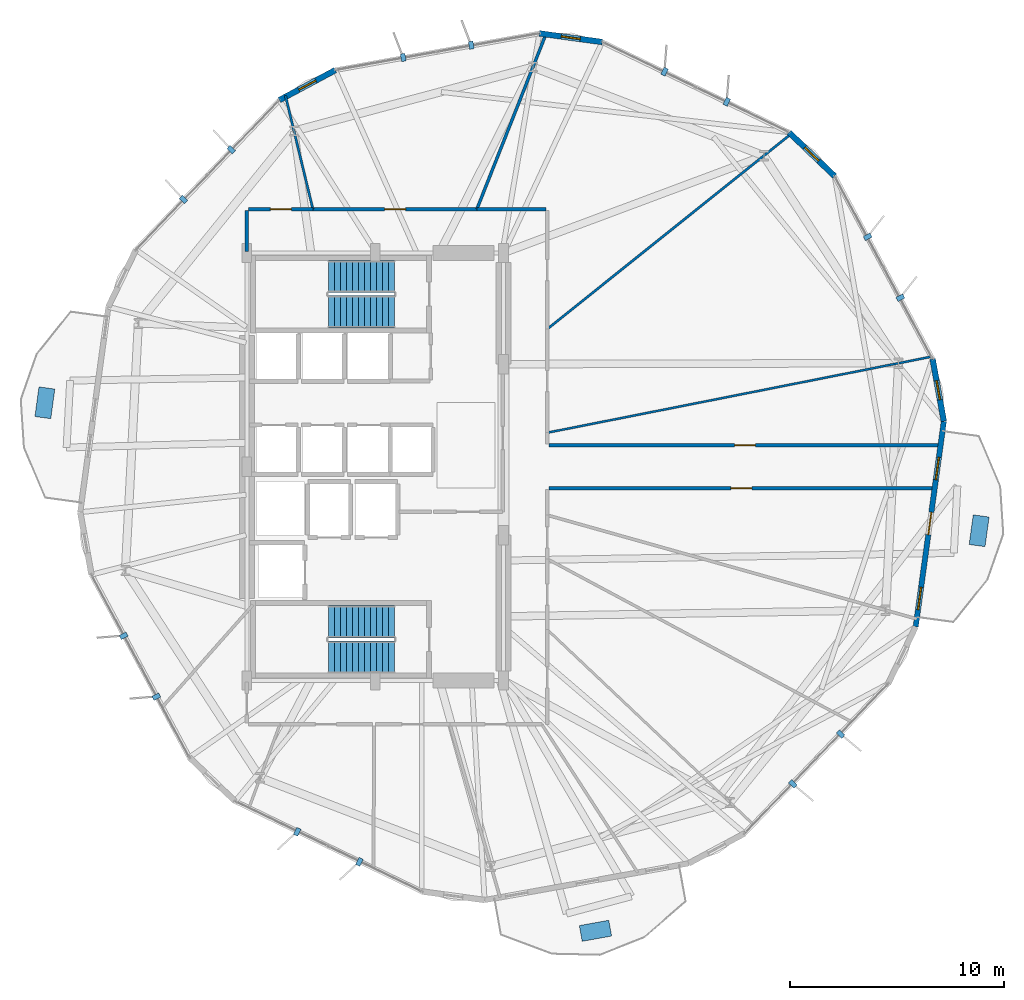
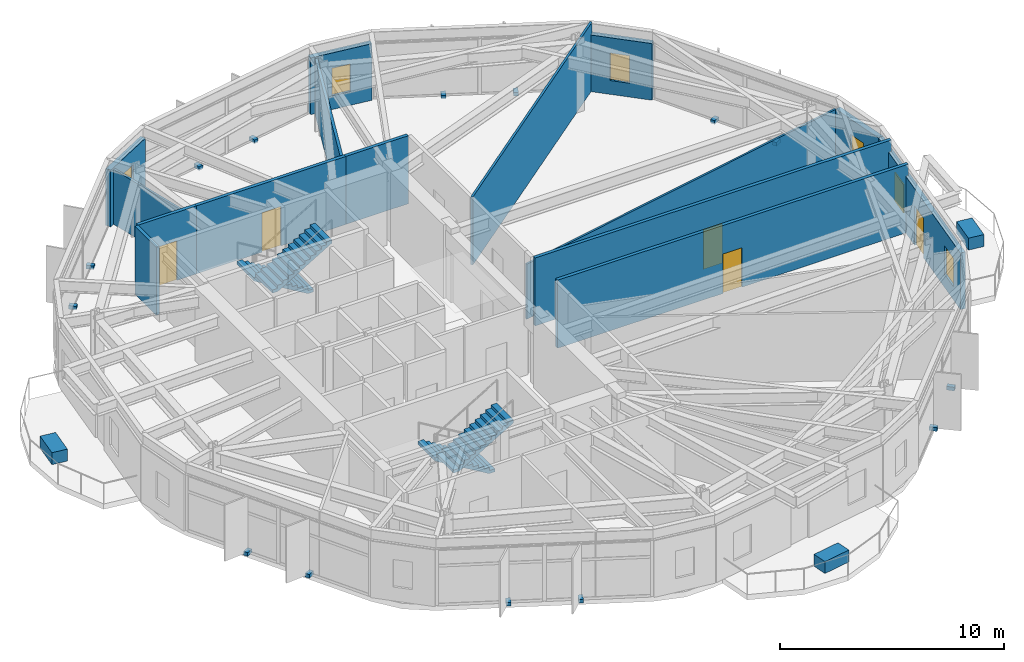
# One storey, part 19 of 22: 17 discrete accessories, 15 walls, 6 windows, 5 doors, 4 stair flights, 11 openings, 2 elements without a shape of their own.
"""IFC4 building model written with IfcOpenShell, lengths in metres."""

from ifc_helpers import new_model, si_unit, direction, frame, frame_2d, origin, origin_2d, place, context, subcontext, project, spatial, polyline, rectangle, outline, extrude, material, layer, layer_set, type_object, element, fill, aggregate, save


model = new_model("IFC4")

# Units and contexts
model_context = context("Model", 3, precision=1e-05, world=origin(), true_north=direction((0.0, 1.0)))
body_context = subcontext(model_context, "Body", "Model", "MODEL_VIEW")
ifc_project = project(units=[si_unit("LENGTHUNIT", "METRE"), si_unit("AREAUNIT", "SQUARE_METRE"), si_unit("VOLUMEUNIT", "CUBIC_METRE"), si_unit("PLANEANGLEUNIT", "RADIAN"), si_unit("MASSUNIT", "GRAM", prefix="KILO")], contexts=[model_context])

# Site, building, storey
site_placement = place(None, origin())
site = spatial("IfcSite", under=ifc_project, at=site_placement, CompositionType="ELEMENT")
building_placement = place(site_placement, origin())
building = spatial("IfcBuilding", under=site, at=building_placement, Name="Soratama Intermodal Tower", CompositionType="ELEMENT")
storey_placement = place(building_placement, frame((0.0, 0.0, 66.60009765625)))
storey = spatial("IfcBuildingStorey", under=building, at=storey_placement, Name="L15", CompositionType="ELEMENT", Elevation=66.60009765625)

# Wall, openings, door, windows
ifc_material_1 = material(Name="Concrete f'c 42 MPa", Category="concrete")
ifc_layer_1 = layer(ifc_material_1, 0.25)
ifc_layer_set_1 = layer_set([ifc_layer_1], Name="Concrete f'c 42 MPa")
wall_type_1 = type_object("IfcWallType", Name="EW-BAL-250", PredefinedType="SOLIDWALL", material=ifc_layer_set_1)
wall_1_placement = place(storey_placement, frame((63.883056640625, 17.51904296875, 0.0), z_axis=(0.0, 0.0, 1.0), x_axis=(0.13571645175, 0.99074772002, 0.0)))
wall_1 = element("IfcWall", 1, at=wall_1_placement, inside=storey, type_object=wall_type_1, Name="L15 Terrace Wall F10", PredefinedType="SOLIDWALL", context=body_context, shape_type="SweptSolid", body=[
    extrude(rectangle(XDim=9.697998046875, YDim=0.25, at=frame_2d((4.84912109375, 0.0))), origin(), (0.0, 0.0, 1.0), 3.078857421875),
])
opening_1_placement = place(wall_1_placement, frame((4.34912109375, 0.0, 0.0)))
opening_1 = element("IfcOpeningElement", 2, at=opening_1_placement, cuts=wall_1, Name="Opening ED-5", PredefinedType="OPENING", context=body_context, shape_type="SweptSolid", body=[
    extrude(rectangle(XDim=1.050048828125, YDim=2.14990234375, at=frame_2d((0.52490234375, 1.074951171875))), frame((0.0, 0.135009765625, 0.0), z_axis=(0.0, -1.0, 0.0), x_axis=(1.0, 0.0, 0.0)), (0.0, 0.0, 1.0), 0.27001953125),
])
opening_2_placement = place(wall_1_placement, frame((0.809814453125, 0.0, 0.719970703125)))
opening_2 = element("IfcOpeningElement", 3, at=opening_2_placement, cuts=wall_1, Name="Opening WN-5", PredefinedType="OPENING", context=body_context, shape_type="SweptSolid", body=[
    extrude(rectangle(XDim=1.050048828125, YDim=1.550048828125, at=frame_2d((0.52490234375, 0.77490234375))), frame((0.0, 0.135009765625, 0.0), z_axis=(0.0, -1.0, 0.0), x_axis=(1.0, 0.0, 0.0)), (0.0, 0.0, 1.0), 0.27001953125),
])
opening_3_placement = place(wall_1_placement, frame((6.942626953125, 0.0, 0.719970703125)))
opening_3 = element("IfcOpeningElement", 4, at=opening_3_placement, cuts=wall_1, Name="Opening WN-5", PredefinedType="OPENING", context=body_context, shape_type="SweptSolid", body=[
    extrude(rectangle(XDim=1.050048828125, YDim=1.550048828125, at=frame_2d((0.52490234375, 0.77490234375))), frame((0.0, 0.135009765625, 0.0), z_axis=(0.0, -1.0, 0.0), x_axis=(1.0, 0.0, 0.0)), (0.0, 0.0, 1.0), 0.27001953125),
])
ifc_material_2 = material(Name="Double-glazed aluminium door", Category="aluminium")
door_type_1 = type_object("IfcDoorType", Name="DR-BAL-1050", OperationType="NOTDEFINED", PredefinedType="DOOR", material=ifc_material_2)
door_1_placement = place(opening_1_placement, origin())
door_1 = element("IfcDoor", 5, at=door_1_placement, inside=storey, type_object=door_type_1, Name="L15 Balcony Door F10", OperationType="SINGLE_SWING_RIGHT", OverallHeight=2.14990234375, OverallWidth=1.050048828125, PredefinedType="DOOR", context=body_context, shape_type="SweptSolid", body=[
    extrude(rectangle(XDim=1.050048828125, YDim=2.14990234375, at=frame_2d((0.52490234375, 1.074951171875))), frame((0.0, 0.02490234375, 0.0), z_axis=(0.0, -1.0, 0.0), x_axis=(1.0, 0.0, 0.0)), (0.0, 0.0, 1.0), 0.050048828125),
])
fill(opening_1, door_1)
ifc_material_3 = material(Name="Double-glazed aluminium window", Category="aluminium")
window_type_1 = type_object("IfcWindowType", Name="WN-FAC-1050", PartitioningType="SINGLE_PANEL", PredefinedType="WINDOW", material=ifc_material_3)
window_1_placement = place(opening_2_placement, origin())
window_1 = element("IfcWindow", 6, at=window_1_placement, inside=storey, type_object=window_type_1, Name="L15 Window A F10", OverallHeight=1.550048828125, OverallWidth=1.050048828125, PartitioningType="SINGLE_PANEL", PredefinedType="WINDOW", context=body_context, shape_type="SweptSolid", body=[
    extrude(rectangle(XDim=1.050048828125, YDim=1.550048828125, at=frame_2d((0.52490234375, 0.77490234375))), frame((0.0, 0.030029296875, 0.0), z_axis=(0.0, -1.0, 0.0), x_axis=(1.0, 0.0, 0.0)), (0.0, 0.0, 1.0), 0.06005859375),
])
fill(opening_2, window_1)
window_2_placement = place(opening_3_placement, origin())
window_2 = element("IfcWindow", 7, at=window_2_placement, inside=storey, type_object=window_type_1, Name="L15 Window B F10", OverallHeight=1.550048828125, OverallWidth=1.050048828125, PartitioningType="SINGLE_PANEL", PredefinedType="WINDOW", context=body_context, shape_type="SweptSolid", body=[
    extrude(rectangle(XDim=1.050048828125, YDim=1.550048828125, at=frame_2d((0.52490234375, 0.77490234375))), frame((0.0, 0.030029296875, 0.0), z_axis=(0.0, -1.0, 0.0), x_axis=(1.0, 0.0, 0.0)), (0.0, 0.0, 1.0), 0.06005859375),
])
fill(opening_3, window_2)

# Wall, opening, window
ifc_material_4 = material(Name="Concrete f'c 42 MPa", Category="concrete")
ifc_layer_2 = layer(ifc_material_4, 0.27001953125)
ifc_layer_set_2 = layer_set([ifc_layer_2], Name="Concrete f'c 42 MPa")
wall_type_2 = type_object("IfcWallType", Name="EW-CRN-270", PredefinedType="SOLIDWALL", material=ifc_layer_set_2)
wall_2_placement = place(storey_placement, frame((60.091064453125, 38.593994140625, 0.0), z_axis=(0.0, 0.0, 1.0), x_axis=(-0.721765475307, 0.69213770209, 0.0)))
wall_2 = element("IfcWall", 8, at=wall_2_placement, inside=storey, type_object=wall_type_2, Name="L15 Corner Closure Wall 01", PredefinedType="SOLIDWALL", context=body_context, shape_type="SweptSolid", body=[
    extrude(rectangle(XDim=2.966552734375, YDim=0.27001953125, at=frame_2d((1.4833984375, 0.0))), origin(), (0.0, 0.0, 1.0), 3.078857421875),
])
opening_4_placement = place(wall_2_placement, frame((1.033203125, 0.0, 0.75)))
opening_4 = element("IfcOpeningElement", 9, at=opening_4_placement, cuts=wall_2, Name="Opening WN-6", PredefinedType="OPENING", context=body_context, shape_type="SweptSolid", body=[
    extrude(rectangle(XDim=0.89990234375, YDim=1.5, at=frame_2d((0.449951171875, 0.75))), frame((0.0, 0.14501953125, 0.0), z_axis=(0.0, -1.0, 0.0), x_axis=(1.0, 0.0, 0.0)), (0.0, 0.0, 1.0), 0.2900390625),
])
ifc_material_5 = material(Name="Double-glazed aluminium window", Category="aluminium")
window_type_2 = type_object("IfcWindowType", Name="WN-FAC-900", PartitioningType="SINGLE_PANEL", PredefinedType="WINDOW", material=ifc_material_5)
window_3_placement = place(opening_4_placement, origin())
window_3 = element("IfcWindow", 10, at=window_3_placement, inside=storey, type_object=window_type_2, Name="L15 Corner Window 01", OverallHeight=1.5, OverallWidth=0.89990234375, PartitioningType="SINGLE_PANEL", PredefinedType="WINDOW", context=body_context, shape_type="SweptSolid", body=[
    extrude(rectangle(XDim=0.89990234375, YDim=1.5, at=frame_2d((0.449951171875, 0.75))), frame((0.0, 0.030029296875, 0.0), z_axis=(0.0, -1.0, 0.0), x_axis=(1.0, 0.0, 0.0)), (0.0, 0.0, 1.0), 0.06005859375),
])
fill(opening_4, window_3)

wall_3_placement = place(storey_placement, frame((49.21875, 44.867919921875, 0.0), z_axis=(0.0, 0.0, 1.0), x_axis=(-0.990749365916, 0.13570443595, 0.0)))
wall_3 = element("IfcWall", 11, at=wall_3_placement, inside=storey, type_object=wall_type_2, Name="L15 Corner Closure Wall 02", PredefinedType="SOLIDWALL", context=body_context, shape_type="SweptSolid", body=[
    extrude(rectangle(XDim=2.966552734375, YDim=0.27001953125, at=frame_2d((1.4833984375, 0.0))), origin(), (0.0, 0.0, 1.0), 3.078857421875),
])
opening_5_placement = place(wall_3_placement, frame((1.033203125, 0.0, 0.75)))
opening_5 = element("IfcOpeningElement", 12, at=opening_5_placement, cuts=wall_3, Name="Opening WN-6", PredefinedType="OPENING", context=body_context, shape_type="SweptSolid", body=[
    extrude(rectangle(XDim=0.89990234375, YDim=1.5, at=frame_2d((0.449951171875, 0.75))), frame((0.0, 0.14501953125, 0.0), z_axis=(0.0, -1.0, 0.0), x_axis=(1.0, 0.0, 0.0)), (0.0, 0.0, 1.0), 0.2900390625),
])
window_4_placement = place(opening_5_placement, origin())
window_4 = element("IfcWindow", 13, at=window_4_placement, inside=storey, type_object=window_type_2, Name="L15 Corner Window 02", OverallHeight=1.5, OverallWidth=0.89990234375, PartitioningType="SINGLE_PANEL", PredefinedType="WINDOW", context=body_context, shape_type="SweptSolid", body=[
    extrude(rectangle(XDim=0.89990234375, YDim=1.5, at=frame_2d((0.449951171875, 0.75))), frame((0.0, 0.030029296875, 0.0), z_axis=(0.0, -1.0, 0.0), x_axis=(1.0, 0.0, 0.0)), (0.0, 0.0, 1.0), 0.06005859375),
])
fill(opening_5, window_4)

wall_4_placement = place(storey_placement, frame((36.73486328125, 43.55322265625, 0.0), z_axis=(0.0, 0.0, 1.0), x_axis=(-0.881307407795, -0.47254338739, 0.0)))
wall_4 = element("IfcWall", 14, at=wall_4_placement, inside=storey, type_object=wall_type_2, Name="L15 Corner Closure Wall 03", PredefinedType="SOLIDWALL", context=body_context, shape_type="SweptSolid", body=[
    extrude(rectangle(XDim=2.966552734375, YDim=0.27001953125, at=frame_2d((1.4833984375, 0.0))), origin(), (0.0, 0.0, 1.0), 3.078857421875),
])
opening_6_placement = place(wall_4_placement, frame((1.033203125, 0.0, 0.75)))
opening_6 = element("IfcOpeningElement", 15, at=opening_6_placement, cuts=wall_4, Name="Opening WN-6", PredefinedType="OPENING", context=body_context, shape_type="SweptSolid", body=[
    extrude(rectangle(XDim=0.89990234375, YDim=1.5, at=frame_2d((0.449951171875, 0.75))), frame((0.0, 0.14501953125, 0.0), z_axis=(0.0, -1.0, 0.0), x_axis=(1.0, 0.0, 0.0)), (0.0, 0.0, 1.0), 0.2900390625),
])
window_5_placement = place(opening_6_placement, origin())
window_5 = element("IfcWindow", 16, at=window_5_placement, inside=storey, type_object=window_type_2, Name="L15 Corner Window 03", OverallHeight=1.5, OverallWidth=0.89990234375, PartitioningType="SINGLE_PANEL", PredefinedType="WINDOW", context=body_context, shape_type="SweptSolid", body=[
    extrude(rectangle(XDim=0.89990234375, YDim=1.5, at=frame_2d((0.449951171875, 0.75))), frame((0.0, 0.030029296875, 0.0), z_axis=(0.0, -1.0, 0.0), x_axis=(1.0, 0.0, 0.0)), (0.0, 0.0, 1.0), 0.06005859375),
])
fill(opening_6, window_5)

wall_5_placement = place(storey_placement, frame((65.19921875, 27.127197265625, 0.0), z_axis=(0.0, 0.0, 1.0), x_axis=(-0.177089231547, 0.984194799859, 0.0)))
wall_5 = element("IfcWall", 17, at=wall_5_placement, inside=storey, type_object=wall_type_2, Name="L15 Corner Closure Wall 10", PredefinedType="SOLIDWALL", context=body_context, shape_type="SweptSolid", body=[
    extrude(rectangle(XDim=2.966796875, YDim=0.27001953125, at=frame_2d((1.4833984375, 0.0))), origin(), (0.0, 0.0, 1.0), 3.078857421875),
])
opening_7_placement = place(wall_5_placement, frame((1.033203125, 0.0, 0.75)))
opening_7 = element("IfcOpeningElement", 18, at=opening_7_placement, cuts=wall_5, Name="Opening WN-6", PredefinedType="OPENING", context=body_context, shape_type="SweptSolid", body=[
    extrude(rectangle(XDim=0.89990234375, YDim=1.5, at=frame_2d((0.449951171875, 0.75))), frame((0.0, 0.14501953125, 0.0), z_axis=(0.0, -1.0, 0.0), x_axis=(1.0, 0.0, 0.0)), (0.0, 0.0, 1.0), 0.2900390625),
])
window_6_placement = place(opening_7_placement, origin())
window_6 = element("IfcWindow", 19, at=window_6_placement, inside=storey, type_object=window_type_2, Name="L15 Corner Window 10", OverallHeight=1.5, OverallWidth=0.89990234375, PartitioningType="SINGLE_PANEL", PredefinedType="WINDOW", context=body_context, shape_type="SweptSolid", body=[
    extrude(rectangle(XDim=0.89990234375, YDim=1.5, at=frame_2d((0.449951171875, 0.75))), frame((0.0, 0.030029296875, 0.0), z_axis=(0.0, -1.0, 0.0), x_axis=(1.0, 0.0, 0.0)), (0.0, 0.0, 1.0), 0.06005859375),
])
fill(opening_7, window_6)

# Wall, opening, door
ifc_material_6 = material(Name="Fire-rated gypsum stud partition", Category="concrete")
ifc_layer_3 = layer(ifc_material_6, 0.169921875)
ifc_layer_set_3 = layer_set([ifc_layer_3], Name="Fire-rated gypsum stud partition")
wall_type_3 = type_object("IfcWallType", Name="IW-PART-R170", PredefinedType="PARTITIONING", material=ifc_layer_set_3)
wall_6_placement = place(storey_placement, frame((46.719970703125, 26.0, 0.0), z_axis=(0.0, 0.0, 1.0), x_axis=(1.0, 0.0, 0.0)))
wall_6 = element("IfcWall", 20, at=wall_6_placement, inside=storey, type_object=wall_type_3, Name="L15 Partition W-L15-TP001", PredefinedType="PARTITIONING", context=body_context, shape_type="SweptSolid", body=[
    extrude(rectangle(XDim=18.324951171875, YDim=0.169921875, at=frame_2d((9.16259765625, 0.0))), origin(), (0.0, 0.0, 1.0), 3.699951171875),
])
opening_8_placement = place(wall_6_placement, frame((8.68798828125, 0.0, 0.0)))
opening_8 = element("IfcOpeningElement", 21, at=opening_8_placement, cuts=wall_6, Name="Opening ID-5", PredefinedType="OPENING", context=body_context, shape_type="SweptSolid", body=[
    extrude(rectangle(XDim=0.97998046875, YDim=2.14990234375, at=frame_2d((0.489990234375, 1.074951171875))), frame((0.0, 0.094970703125, 0.0), z_axis=(0.0, -1.0, 0.0), x_axis=(1.0, 0.0, 0.0)), (0.0, 0.0, 1.0), 0.18994140625),
])
ifc_material_7 = material(Name="Solid hardwood acoustic door", Category="wood")
door_type_2 = type_object("IfcDoorType", Name="DR-OFF-980", OperationType="NOTDEFINED", PredefinedType="DOOR", material=ifc_material_7)
door_2_placement = place(opening_8_placement, origin())
door_2 = element("IfcDoor", 22, at=door_2_placement, inside=storey, type_object=door_type_2, Name="L15 Door D-L15-TP001", OperationType="SINGLE_SWING_RIGHT", OverallHeight=2.14990234375, OverallWidth=0.97998046875, PredefinedType="DOOR", context=body_context, shape_type="SweptSolid", body=[
    extrude(rectangle(XDim=0.97998046875, YDim=2.14990234375, at=frame_2d((0.489990234375, 1.074951171875))), frame((0.0, 0.02490234375, 0.0), z_axis=(0.0, -1.0, 0.0), x_axis=(1.0, 0.0, 0.0)), (0.0, 0.0, 1.0), 0.050048828125),
])
fill(opening_8, door_2)

wall_7_placement = place(storey_placement, frame((64.77099609375, 24.0, 0.0), z_axis=(0.0, 0.0, 1.0), x_axis=(-1.0, 0.0, 0.0)))
wall_7 = element("IfcWall", 23, at=wall_7_placement, inside=storey, type_object=wall_type_3, Name="L15 Partition W-L15-TP003", PredefinedType="PARTITIONING", context=body_context, shape_type="SweptSolid", body=[
    extrude(rectangle(XDim=18.051025390625, YDim=0.169921875, at=frame_2d((9.025390625, 0.0))), origin(), (0.0, 0.0, 1.0), 3.699951171875),
])
opening_9_placement = place(wall_7_placement, frame((8.551025390625, 0.0, 0.0)))
opening_9 = element("IfcOpeningElement", 24, at=opening_9_placement, cuts=wall_7, Name="Opening ID-5", PredefinedType="OPENING", context=body_context, shape_type="SweptSolid", body=[
    extrude(rectangle(XDim=0.97998046875, YDim=2.14990234375, at=frame_2d((0.489990234375, 1.074951171875))), frame((0.0, 0.094970703125, 0.0), z_axis=(0.0, -1.0, 0.0), x_axis=(1.0, 0.0, 0.0)), (0.0, 0.0, 1.0), 0.18994140625),
])
door_3_placement = place(opening_9_placement, origin())
door_3 = element("IfcDoor", 25, at=door_3_placement, inside=storey, type_object=door_type_2, Name="L15 Door D-L15-TP002", OperationType="SINGLE_SWING_LEFT", OverallHeight=2.14990234375, OverallWidth=0.97998046875, PredefinedType="DOOR", context=body_context, shape_type="SweptSolid", body=[
    extrude(rectangle(XDim=0.97998046875, YDim=2.14990234375, at=frame_2d((0.489990234375, 1.074951171875))), frame((0.0, 0.02490234375, 0.0), z_axis=(0.0, -1.0, 0.0), x_axis=(1.0, 0.0, 0.0)), (0.0, 0.0, 1.0), 0.050048828125),
])
fill(opening_9, door_3)

wall_8_placement = place(storey_placement, frame((35.68701171875, 37.050048828125, 0.0), z_axis=(0.0, 0.0, 1.0), x_axis=(1.0, 0.0, 0.0)))
wall_8 = element("IfcWall", 26, at=wall_8_placement, inside=storey, type_object=wall_type_3, Name="L15 Partition W-L15-TP011", PredefinedType="PARTITIONING", context=body_context, shape_type="SweptSolid", body=[
    extrude(rectangle(XDim=7.669921875, YDim=0.169921875, at=frame_2d((3.8349609375, 0.0))), origin(), (0.0, 0.0, 1.0), 3.699951171875),
])
opening_10_placement = place(wall_8_placement, frame((3.360107421875, 0.0, 0.0)))
opening_10 = element("IfcOpeningElement", 27, at=opening_10_placement, cuts=wall_8, Name="Opening ID-5", PredefinedType="OPENING", context=body_context, shape_type="SweptSolid", body=[
    extrude(rectangle(XDim=0.97998046875, YDim=2.14990234375, at=frame_2d((0.489990234375, 1.074951171875))), frame((0.0, 0.094970703125, 0.0), z_axis=(0.0, -1.0, 0.0), x_axis=(1.0, 0.0, 0.0)), (0.0, 0.0, 1.0), 0.18994140625),
])
door_4_placement = place(opening_10_placement, origin())
door_4 = element("IfcDoor", 28, at=door_4_placement, inside=storey, type_object=door_type_2, Name="L15 Door D-L15-TP003", OperationType="SINGLE_SWING_RIGHT", OverallHeight=2.14990234375, OverallWidth=0.97998046875, PredefinedType="DOOR", context=body_context, shape_type="SweptSolid", body=[
    extrude(rectangle(XDim=0.97998046875, YDim=2.14990234375, at=frame_2d((0.489990234375, 1.074951171875))), frame((0.0, 0.02490234375, 0.0), z_axis=(0.0, -1.0, 0.0), x_axis=(1.0, 0.0, 0.0)), (0.0, 0.0, 1.0), 0.050048828125),
])
fill(opening_10, door_4)

# Wall
wall_9_placement = place(storey_placement, frame((43.35693359375, 37.050048828125, 0.0), z_axis=(0.0, 0.0, 1.0), x_axis=(1.0, 0.0, 0.0)))
element("IfcWall", 29, at=wall_9_placement, inside=storey, type_object=wall_type_3, Name="L15 Partition W-L15-TP025", PredefinedType="PARTITIONING", context=body_context, shape_type="SweptSolid", body=[
    extrude(rectangle(XDim=3.22314453125, YDim=0.169921875, at=frame_2d((1.611572265625, 0.0))), origin(), (0.0, 0.0, 1.0), 3.699951171875),
])

# Wall, opening, door
wall_10_placement = place(storey_placement, frame((32.669921875, 37.050048828125, 0.0), z_axis=(0.0, 0.0, 1.0), x_axis=(1.0, 0.0, 0.0)))
wall_10 = element("IfcWall", 30, at=wall_10_placement, inside=storey, type_object=wall_type_3, Name="L15 Partition W-L15-TP026", PredefinedType="PARTITIONING", context=body_context, shape_type="SweptSolid", body=[
    extrude(rectangle(XDim=3.01708984375, YDim=0.169921875, at=frame_2d((1.508544921875, 0.0))), origin(), (0.0, 0.0, 1.0), 3.699951171875),
])
opening_11_placement = place(wall_10_placement, frame((1.032958984375, 0.0, 0.0)))
opening_11 = element("IfcOpeningElement", 31, at=opening_11_placement, cuts=wall_10, Name="Opening ID-5", PredefinedType="OPENING", context=body_context, shape_type="SweptSolid", body=[
    extrude(rectangle(XDim=0.97998046875, YDim=2.14990234375, at=frame_2d((0.489990234375, 1.074951171875))), frame((0.0, 0.094970703125, 0.0), z_axis=(0.0, -1.0, 0.0), x_axis=(1.0, 0.0, 0.0)), (0.0, 0.0, 1.0), 0.18994140625),
])
door_5_placement = place(opening_11_placement, origin())
door_5 = element("IfcDoor", 32, at=door_5_placement, inside=storey, type_object=door_type_2, Name="L15 Door D-L15-TP013", OperationType="SINGLE_SWING_RIGHT", OverallHeight=2.14990234375, OverallWidth=0.97998046875, PredefinedType="DOOR", context=body_context, shape_type="SweptSolid", body=[
    extrude(rectangle(XDim=0.97998046875, YDim=2.14990234375, at=frame_2d((0.489990234375, 1.074951171875))), frame((0.0, 0.02490234375, 0.0), z_axis=(0.0, -1.0, 0.0), x_axis=(1.0, 0.0, 0.0)), (0.0, 0.0, 1.0), 0.050048828125),
])
fill(opening_11, door_5)

# Walls
wall_11_placement = place(storey_placement, frame((32.60009765625, 35.070068359375, 0.0), z_axis=(0.0, 0.0, 1.0), x_axis=(0.0, 1.0, 0.0)))
element("IfcWall", 33, at=wall_11_placement, inside=storey, type_object=wall_type_3, Name="L15 Partition W-L15-TP030", PredefinedType="PARTITIONING", context=body_context, shape_type="SweptSolid", body=[
    extrude(rectangle(XDim=1.909912109375, YDim=0.169921875, at=frame_2d((0.955078125, 0.0))), origin(), (0.0, 0.0, 1.0), 3.699951171875),
])
ifc_material_8 = material(Name="Fire-rated gypsum stud partition", Category="concrete")
ifc_layer_4 = layer(ifc_material_8, 0.10009765625)
ifc_layer_set_4 = layer_set([ifc_layer_4], Name="Fire-rated gypsum stud partition")
wall_type_4 = type_object("IfcWallType", Name="IW-PART-S100", PredefinedType="PARTITIONING", material=ifc_layer_set_4)
wall_12_placement = place(storey_placement, frame((46.64990234375, 26.593017578125, 0.0), z_axis=(0.0, 0.0, 1.0), x_axis=(0.980976457062, 0.194126738728, 0.0)))
element("IfcWall", 34, at=wall_12_placement, inside=storey, type_object=wall_type_4, Name="L15 Partition W-L15-TP002", PredefinedType="PARTITIONING", context=body_context, shape_type="SweptSolid", body=[
    extrude(rectangle(XDim=18.3173828125, YDim=0.10009765625, at=frame_2d((9.15869140625, 0.0))), origin(), (0.0, 0.0, 1.0), 2.994873046875),
])
ifc_material_9 = material(Name="Fire-rated gypsum stud partition", Category="concrete")
ifc_layer_5 = layer(ifc_material_9, 0.110107421875)
ifc_layer_set_5 = layer_set([ifc_layer_5], Name="Fire-rated gypsum stud partition")
wall_type_5 = type_object("IfcWallType", Name="IW-PART-S110", PredefinedType="PARTITIONING", material=ifc_layer_set_5)
wall_13_placement = place(storey_placement, frame((46.64990234375, 31.44189453125, 0.0), z_axis=(0.0, 0.0, 1.0), x_axis=(0.780808493208, 0.624770435387, 0.0)))
element("IfcWall", 35, at=wall_13_placement, inside=storey, type_object=wall_type_5, Name="L15 Partition W-L15-TP006", PredefinedType="PARTITIONING", context=body_context, shape_type="SweptSolid", body=[
    extrude(rectangle(XDim=14.612060546875, YDim=0.110107421875, at=frame_2d((7.30615234375, 0.0))), origin(), (0.0, 0.0, 1.0), 3.699951171875),
])
wall_14_placement = place(storey_placement, frame((35.68701171875, 37.050048828125, 0.0), z_axis=(0.0, 0.0, 1.0), x_axis=(-0.235196214619, 0.97194791045, 0.0)))
element("IfcWall", 36, at=wall_14_placement, inside=storey, type_object=wall_type_5, Name="L15 Partition W-L15-TP016", PredefinedType="PARTITIONING", context=body_context, shape_type="SweptSolid", body=[
    extrude(rectangle(XDim=5.46826171875, YDim=0.110107421875, at=frame_2d((2.734130859375, 0.0))), origin(), (0.0, 0.0, 1.0), 2.994873046875),
])
ifc_material_10 = material(Name="Fire-rated gypsum stud partition", Category="concrete")
ifc_layer_6 = layer(ifc_material_10, 0.139892578125)
ifc_layer_set_6 = layer_set([ifc_layer_6], Name="Fire-rated gypsum stud partition")
wall_type_6 = type_object("IfcWallType", Name="IW-PART-S140", PredefinedType="PARTITIONING", material=ifc_layer_set_6)
wall_15_placement = place(storey_placement, frame((43.35693359375, 37.050048828125, 0.0), z_axis=(0.0, 0.0, 1.0), x_axis=(0.367122541211, 0.930172585994, 0.0)))
element("IfcWall", 37, at=wall_15_placement, inside=storey, type_object=wall_type_6, Name="L15 Partition W-L15-TP008", PredefinedType="PARTITIONING", context=body_context, shape_type="SweptSolid", body=[
    extrude(rectangle(XDim=8.8447265625, YDim=0.139892578125, at=frame_2d((4.42236328125, 0.0))), origin(), (0.0, 0.0, 1.0), 2.994873046875),
])

# Stair, stair flights
ifc_material_11 = material(Name="Concrete f'c 42 MPa", Category="concrete")
stair_type = type_object("IfcStairType", Name="ST-CORE-DOGLEG", PredefinedType="HALF_TURN_STAIR", material=ifc_material_11)
stair_1_placement = place(storey_placement, origin())
stair_1 = element("IfcStair", 38, at=stair_1_placement, inside=storey, type_object=stair_type, Name="L15 ST-1", PredefinedType="HALF_TURN_STAIR")
ifc_material_12 = material(Name="Precast concrete f'c 40 MPa", Category="concrete")
ifc_layer_7 = layer(ifc_material_12, 0.199951171875)
ifc_layer_set_7 = layer_set([ifc_layer_7], Name="Precast concrete f'c 40 MPa")
stair_flight_type = type_object("IfcStairFlightType", Name="SF-FLIGHT-RC", PredefinedType="STRAIGHT", material=ifc_layer_set_7)
stair_flight_1_placement = place(storey_placement, frame((39.5, 17.75, 0.0), z_axis=(0.0, 0.0, 1.0), x_axis=(-1.0, 0.0, 0.0)))
stair_flight_1 = element("IfcStairFlight", 39, at=stair_flight_1_placement, type_object=stair_flight_type, Name="ST-1 flight 1", NumberOfRisers=12, NumberOfTreads=11, PredefinedType="STRAIGHT", RiserHeight=0.166666667, TreadLength=0.28, context=body_context, shape_type="SweptSolid", body=[
    extrude(outline(polyline([(0.0, 0.0), (0.0, 0.166748046875), (0.280029296875, 0.166748046875), (0.280029296875, 0.333251953125), (0.56005859375, 0.333251953125), (0.56005859375, 0.5), (0.840087890625, 0.5), (0.840087890625, 0.666748046875), (1.1201171875, 0.666748046875), (1.1201171875, 0.833251953125), (1.39990234375, 0.833251953125), (1.39990234375, 1.0), (1.679931640625, 1.0), (1.679931640625, 1.166748046875), (1.9599609375, 1.166748046875), (1.9599609375, 1.333251953125), (2.239990234375, 1.333251953125), (2.239990234375, 1.5), (2.52001953125, 1.5), (2.52001953125, 1.666748046875), (2.800048828125, 1.666748046875), (2.800048828125, 1.833251953125), (3.080078125, 1.833251953125), (3.080078125, 2.0), (3.080078125, 1.658935546875), (0.29296875, 0.0), (0.0, 0.0)])), frame((0.0, 0.75, 0.0), z_axis=(0.0, -1.0, 0.0), x_axis=(1.0, 0.0, 0.0)), (0.0, 0.0, 1.0), 1.5),
])
stair_flight_2_placement = place(storey_placement, frame((36.419921875, 16.10009765625, 2.0), z_axis=(0.0, 0.0, 1.0), x_axis=(1.0, 0.0, 0.0)))
stair_flight_2 = element("IfcStairFlight", 40, at=stair_flight_2_placement, type_object=stair_flight_type, Name="ST-1 flight 2", NumberOfRisers=12, NumberOfTreads=11, PredefinedType="STRAIGHT", RiserHeight=0.166666667, TreadLength=0.28, context=body_context, shape_type="SweptSolid", body=[
    extrude(outline(polyline([(0.0, 0.0), (0.0, 0.166748046875), (0.280029296875, 0.166748046875), (0.280029296875, 0.333251953125), (0.56005859375, 0.333251953125), (0.56005859375, 0.5), (0.840087890625, 0.5), (0.840087890625, 0.666748046875), (1.1201171875, 0.666748046875), (1.1201171875, 0.833251953125), (1.39990234375, 0.833251953125), (1.39990234375, 1.0), (1.679931640625, 1.0), (1.679931640625, 1.166748046875), (1.9599609375, 1.166748046875), (1.9599609375, 1.333251953125), (2.239990234375, 1.333251953125), (2.239990234375, 1.5), (2.52001953125, 1.5), (2.52001953125, 1.666748046875), (2.800048828125, 1.666748046875), (2.800048828125, 1.833251953125), (3.080078125, 1.833251953125), (3.080078125, 2.0), (3.080078125, 1.658935546875), (0.29296875, 0.0), (0.0, 0.0)])), frame((0.0, 0.75, 0.0), z_axis=(0.0, -1.0, 0.0), x_axis=(1.0, 0.0, 0.0)), (0.0, 0.0, 1.0), 1.5),
])
aggregate(stair_1, [stair_flight_1, stair_flight_2])

stair_2_placement = place(storey_placement, origin())
stair_2 = element("IfcStair", 41, at=stair_2_placement, inside=storey, type_object=stair_type, Name="L15 ST-2", PredefinedType="HALF_TURN_STAIR")
stair_flight_3_placement = place(storey_placement, frame((39.5, 33.89990234375, 0.0), z_axis=(0.0, 0.0, 1.0), x_axis=(-1.0, 0.0, 0.0)))
stair_flight_3 = element("IfcStairFlight", 42, at=stair_flight_3_placement, type_object=stair_flight_type, Name="ST-2 flight 1", NumberOfRisers=12, NumberOfTreads=11, PredefinedType="STRAIGHT", RiserHeight=0.166666667, TreadLength=0.28, context=body_context, shape_type="SweptSolid", body=[
    extrude(outline(polyline([(0.0, 0.0), (0.0, 0.166748046875), (0.280029296875, 0.166748046875), (0.280029296875, 0.333251953125), (0.56005859375, 0.333251953125), (0.56005859375, 0.5), (0.840087890625, 0.5), (0.840087890625, 0.666748046875), (1.1201171875, 0.666748046875), (1.1201171875, 0.833251953125), (1.39990234375, 0.833251953125), (1.39990234375, 1.0), (1.679931640625, 1.0), (1.679931640625, 1.166748046875), (1.9599609375, 1.166748046875), (1.9599609375, 1.333251953125), (2.239990234375, 1.333251953125), (2.239990234375, 1.5), (2.52001953125, 1.5), (2.52001953125, 1.666748046875), (2.800048828125, 1.666748046875), (2.800048828125, 1.833251953125), (3.080078125, 1.833251953125), (3.080078125, 2.0), (3.080078125, 1.658935546875), (0.29296875, 0.0), (0.0, 0.0)])), frame((0.0, 0.75, 0.0), z_axis=(0.0, -1.0, 0.0), x_axis=(1.0, 0.0, 0.0)), (0.0, 0.0, 1.0), 1.5),
])
stair_flight_4_placement = place(storey_placement, frame((36.419921875, 32.25, 2.0), z_axis=(0.0, 0.0, 1.0), x_axis=(1.0, 0.0, 0.0)))
stair_flight_4 = element("IfcStairFlight", 43, at=stair_flight_4_placement, type_object=stair_flight_type, Name="ST-2 flight 2", NumberOfRisers=12, NumberOfTreads=11, PredefinedType="STRAIGHT", RiserHeight=0.166666667, TreadLength=0.28, context=body_context, shape_type="SweptSolid", body=[
    extrude(outline(polyline([(0.0, 0.0), (0.0, 0.166748046875), (0.280029296875, 0.166748046875), (0.280029296875, 0.333251953125), (0.56005859375, 0.333251953125), (0.56005859375, 0.5), (0.840087890625, 0.5), (0.840087890625, 0.666748046875), (1.1201171875, 0.666748046875), (1.1201171875, 0.833251953125), (1.39990234375, 0.833251953125), (1.39990234375, 1.0), (1.679931640625, 1.0), (1.679931640625, 1.166748046875), (1.9599609375, 1.166748046875), (1.9599609375, 1.333251953125), (2.239990234375, 1.333251953125), (2.239990234375, 1.5), (2.52001953125, 1.5), (2.52001953125, 1.666748046875), (2.800048828125, 1.666748046875), (2.800048828125, 1.833251953125), (3.080078125, 1.833251953125), (3.080078125, 2.0), (3.080078125, 1.658935546875), (0.29296875, 0.0), (0.0, 0.0)])), frame((0.0, 0.75, 0.0), z_axis=(0.0, -1.0, 0.0), x_axis=(1.0, 0.0, 0.0)), (0.0, 0.0, 1.0), 1.5),
])
aggregate(stair_2, [stair_flight_3, stair_flight_4])

# Discrete accessories
ifc_material_13 = material(Name="Structural steel ASTM A992 Grade 50", Category="steel")
discrete_accessory_type_1 = type_object("IfcDiscreteAccessoryType", Name="AC-FIN-BRACKET", PredefinedType="BRACKET", material=ifc_material_13)
for number, where, z_axis, x_axis, name in (
    (44, (63.163818359375, 32.905517578125, -0.080078125), (0.0, 0.0, 1.0), (0.881303452065, 0.472550764869, 0.0), "L15 Fin Bracket F01-1"),
    (45, (61.63623046875, 35.75439453125, -0.080078125), (0.0, 0.0, 1.0), (0.881303452065, 0.472550764869, 0.0), "L15 Fin Bracket F01-2"),
    (46, (55.04833984375, 42.072021484375, -0.080078125), (0.0, 0.0, 1.0), (0.435231099372, 0.900318771402, 0.0), "L15 Fin Bracket F02-1"),
    (47, (52.1376953125, 43.47900390625, -0.080078125), (0.0, 0.0, 1.0), (0.435231099372, 0.900318771402, 0.0), "L15 Fin Bracket F02-2"),
    (48, (43.094482421875, 44.718017578125, -0.080078125), (0.0, 0.0, 1.0), (-0.17708474032, 0.984195607969, 0.0), "L15 Fin Bracket F03-1"),
    (49, (39.912841796875, 44.1455078125, -0.080078125), (0.0, 0.0, 1.0), (-0.17708474032, 0.984195607969, 0.0), "L15 Fin Bracket F03-2"),
    (50, (31.868408203125, 39.83203125, -0.080078125), (0.0, 0.0, 1.0), (-0.721760228098, 0.69214317387, 0.0), "L15 Fin Bracket F04-1"),
    (51, (29.631103515625, 37.498779296875, -0.080078125), (0.0, 0.0, 1.0), (-0.721760228098, 0.69214317387, 0.0), "L15 Fin Bracket F04-2"),
    (52, (26.836181640625, 17.094482421875, -0.080078125), (0.0, 0.0, 1.0), (-0.881303452065, -0.472550764869, 0.0), "L15 Fin Bracket F06-1"),
    (53, (28.36376953125, 14.24560546875, -0.080078125), (0.0, 0.0, 1.0), (-0.881303452065, -0.472550764869, 0.0), "L15 Fin Bracket F06-2"),
    (54, (34.95166015625, 7.927978515625, -0.080078125), (0.0, 0.0, 1.0), (-0.435231099372, -0.900318771402, 0.0), "L15 Fin Bracket F07-1"),
    (55, (37.8623046875, 6.52099609375, -0.080078125), (0.0, 0.0, 1.0), (-0.435231099372, -0.900318771402, 0.0), "L15 Fin Bracket F07-2"),
    (56, (58.131591796875, 10.16796875, -0.080078125), (0.0, 0.0, 1.0), (0.721760228098, -0.69214317387, 0.0), "L15 Fin Bracket F09-1"),
    (57, (60.368896484375, 12.501220703125, -0.080078125), (0.0, 0.0, 1.0), (0.721760228098, -0.69214317387, 0.0), "L15 Fin Bracket F09-2"),
):
    element("IfcDiscreteAccessory", number, at=place(storey_placement, frame(where, z_axis=z_axis, x_axis=x_axis)), inside=storey, type_object=discrete_accessory_type_1, Name=name, PredefinedType="BRACKET", context=body_context, shape_type="SweptSolid", body=[
        extrude(rectangle(XDim=0.360107421875, YDim=0.219970703125, at=origin_2d()), origin(), (0.0, 0.0, 1.0), 0.199951171875),
    ])
ifc_material_14 = material(Name="Precast concrete f'c 40 MPa", Category="concrete")
discrete_accessory_type_2 = type_object("IfcDiscreteAccessoryType", Name="AC-PLANTER-TREE", PredefinedType="USERDEFINED", material=ifc_material_14)
for number, where, z_axis, x_axis, name in (
    (58, (66.849609375, 22.007080078125, 0.0), (0.0, 0.0, 1.0), (0.990747840471, -0.135715572434, 0.0), "L15 Tree Planter 1"),
    (59, (23.150390625, 27.992919921875, 0.0), (0.0, 0.0, 1.0), (-0.990747840471, 0.135715572434, 0.0), "L15 Tree Planter 2"),
    (60, (48.9052734375, 3.294921875, 0.0), (0.0, 0.0, 1.0), (0.17708474032, -0.984195607969, 0.0), "L15 Tree Planter 3"),
):
    element("IfcDiscreteAccessory", number, at=place(storey_placement, frame(where, z_axis=z_axis, x_axis=x_axis)), inside=storey, type_object=discrete_accessory_type_2, Name=name, ObjectType="PLANTER", PredefinedType="USERDEFINED", context=body_context, shape_type="SweptSolid", body=[
        extrude(rectangle(XDim=0.75, YDim=1.39990234375, at=origin_2d()), origin(), (0.0, 0.0, 1.0), 0.64990234375),
    ])

save(model, "model.ifc")
